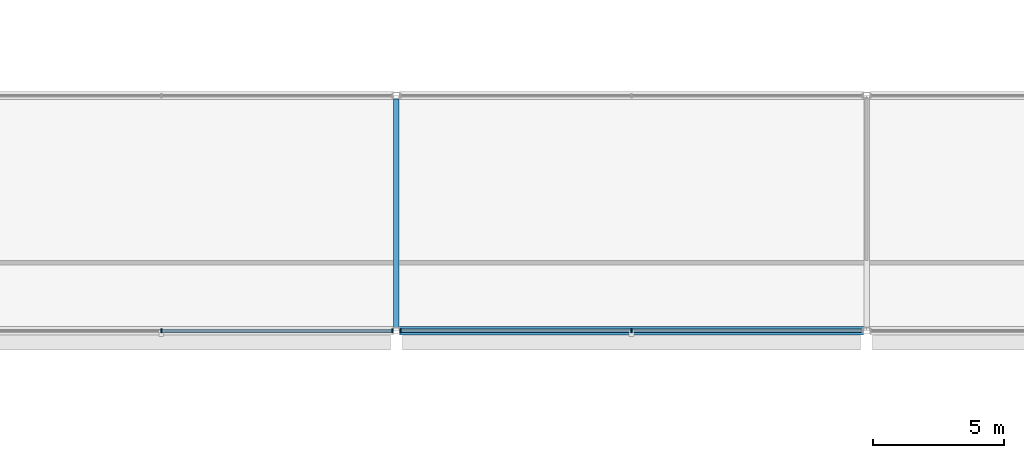
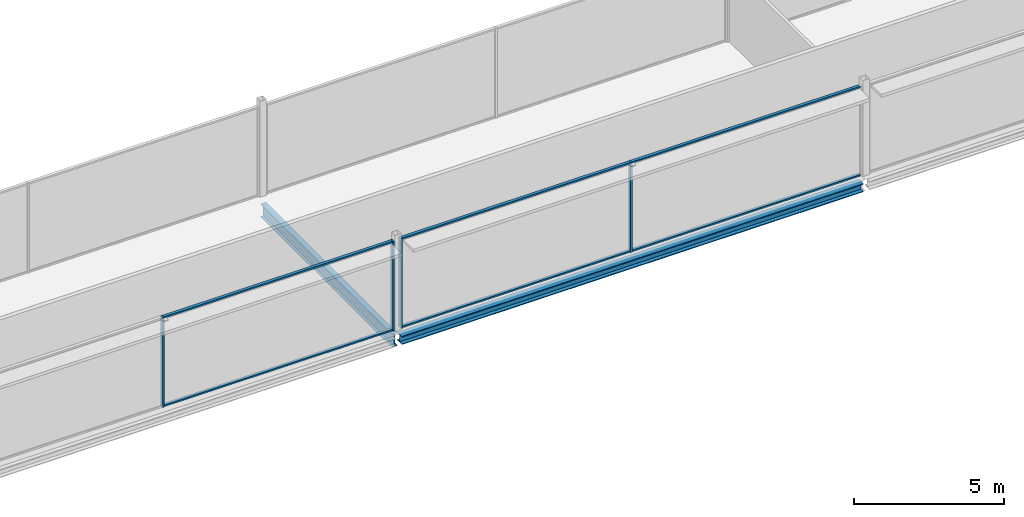
# One storey, part 23 of 96: 10 members, 2 beams, 2 elements without a shape of their own.
"""IFC4 building model written with IfcOpenShell, lengths in metres."""

from ifc_helpers import new_model, si_unit, direction, frame, origin, origin_2d, place, context, subcontext, project, spatial, rectangle, i_section, extrude, material, layer, layer_set, material_profile, profile_set, type_object, element, aggregate, save


model = new_model("IFC4")

# Units and contexts
model_context = context("Model", 3, precision=1e-05, world=origin(), true_north=direction((0.0, 1.0)))
body_context = subcontext(model_context, "Body", "Model", "MODEL_VIEW")
ifc_project = project(units=[si_unit("LENGTHUNIT", "METRE"), si_unit("AREAUNIT", "SQUARE_METRE"), si_unit("VOLUMEUNIT", "CUBIC_METRE"), si_unit("PLANEANGLEUNIT", "RADIAN"), si_unit("MASSUNIT", "GRAM", prefix="KILO")], contexts=[model_context])

# Site, building, storey
site_placement = place(None, origin())
site = spatial("IfcSite", under=ifc_project, at=site_placement, CompositionType="ELEMENT")
building_placement = place(site_placement, origin())
building = spatial("IfcBuilding", under=site, at=building_placement, Name="Kisiwana Market Hall", CompositionType="ELEMENT")
storey_placement = place(building_placement, frame((0.0, 0.0, 25.5)))
storey = spatial("IfcBuildingStorey", under=building, at=storey_placement, Name="L05", CompositionType="ELEMENT", Elevation=25.5)

# Beams
ifc_material_1 = material(Name="Steel S355", Category="steel")
ifc_material_profile_1 = material_profile(ifc_material_1, i_section(OverallWidth=0.209228515625, OverallDepth=0.533203125, WebThickness=0.010009765625, FlangeThickness=0.015625, at=origin_2d()), Name="UB 533x210x92")
ifc_profile_set_1 = profile_set([ifc_material_profile_1], Name="Steel S355")
beam_type_1 = type_object("IfcBeamType", Name="BM-GIRD-UB533", PredefinedType="BEAM", material=ifc_profile_set_1)
beam_1_placement = place(storey_placement, frame((81.0, 18.12109375, -0.531494140625), z_axis=(0.0, 1.0, 0.0), x_axis=(-1.0, 0.0, 0.0)))
element("IfcBeam", 1, at=beam_1_placement, inside=storey, type_object=beam_type_1, Name="Primary girder B-1541", PredefinedType="BEAM", context=body_context, shape_type="SweptSolid", body=[
    extrude(i_section(OverallWidth=0.209228515625, OverallDepth=0.533203125, WebThickness=0.010009765625, FlangeThickness=0.015625, at=origin_2d()), origin(), (0.0, 0.0, 1.0), 8.7578125),
])
ifc_material_2 = material(Name="Steel S355", Category="steel")
ifc_material_profile_2 = material_profile(ifc_material_2, i_section(OverallWidth=0.314453125, OverallDepth=0.33984375, WebThickness=0.01904296875, FlangeThickness=0.031494140625, at=origin_2d()), Name="UC 305x305x198")
ifc_profile_set_2 = profile_set([ifc_material_profile_2], Name="Steel S355")
beam_type_2 = type_object("IfcBeamType", Name="BM-SKYBR-CHORD", PredefinedType="BEAM", material=ifc_profile_set_2)
beam_2_placement = place(storey_placement, frame((81.12109375, 18.0, -0.43505859375), z_axis=(1.0, 0.0, 0.0), x_axis=(0.0, 1.0, 0.0)))
element("IfcBeam", 2, at=beam_2_placement, inside=storey, type_object=beam_type_2, Name="Floor beam B-1609", PredefinedType="BEAM", context=body_context, shape_type="SweptSolid", body=[
    extrude(i_section(OverallWidth=0.314453125, OverallDepth=0.33984375, WebThickness=0.01904296875, FlangeThickness=0.031494140625, at=origin_2d()), origin(), (0.0, 0.0, 1.0), 17.7578125),
])

# Curtain wall, members
ifc_material_3 = material(Name="Double-glazed solar-control low-E IGU", Category="glass")
ifc_layer = layer(ifc_material_3, 0.159912109375)
ifc_layer_set = layer_set([ifc_layer], Name="CW-ZNA-EW-8200")
curtain_wall_type = type_object("IfcCurtainWallType", Name="CW-ZNA-EW-8200", PredefinedType="USERDEFINED", material=ifc_layer_set)
curtain_wall_1_placement = place(storey_placement, origin())
curtain_wall_1 = element("IfcCurtainWall", 3, at=curtain_wall_1_placement, inside=storey, type_object=curtain_wall_type, Name="Unitised curtain wall CW-133 (L05)", ObjectType="UNITISED CURTAIN WALL", PredefinedType="USERDEFINED")
ifc_material_4 = material(Name="Aluminium alloy 6063-T6", Category="aluminium")
ifc_material_profile_3 = material_profile(ifc_material_4, rectangle(XDim=0.06005859375, YDim=0.159912109375, at=origin_2d()), Name="ALU MULLION 60x160")
ifc_profile_set_3 = profile_set([ifc_material_profile_3], Name="Aluminium alloy 6063-T6")
member_type_1 = type_object("IfcMemberType", Name="CW-MULL-60x160", PredefinedType="MULLION", material=ifc_profile_set_3)
member_1_placement = place(storey_placement, frame((72.0, 18.0, 0.0), z_axis=(0.0, 0.0, 1.0), x_axis=(1.0, 0.0, 0.0)))
member_1 = element("IfcMember", 4, at=member_1_placement, type_object=member_type_1, Name="CW-133 mullion 2", PredefinedType="MULLION", context=body_context, shape_type="SweptSolid", body=[
    extrude(rectangle(XDim=0.06005859375, YDim=0.159912109375, at=origin_2d()), origin(), (0.0, 0.0, 1.0), 3.655029296875),
])
member_2_placement = place(storey_placement, frame((80.844970703125, 18.0, 0.0), z_axis=(0.0, 0.0, 1.0), x_axis=(1.0, 0.0, 0.0)))
member_2 = element("IfcMember", 5, at=member_2_placement, type_object=member_type_1, Name="CW-133 mullion 3", PredefinedType="MULLION", context=body_context, shape_type="SweptSolid", body=[
    extrude(rectangle(XDim=0.06005859375, YDim=0.159912109375, at=origin_2d()), origin(), (0.0, 0.0, 1.0), 3.655029296875),
])

curtain_wall_2_placement = place(storey_placement, origin())
curtain_wall_2 = element("IfcCurtainWall", 6, at=curtain_wall_2_placement, inside=storey, type_object=curtain_wall_type, Name="Unitised curtain wall CW-134 (L05)", ObjectType="UNITISED CURTAIN WALL", PredefinedType="USERDEFINED")
member_3_placement = place(storey_placement, frame((81.155029296875, 18.0, 0.0), z_axis=(0.0, 0.0, 1.0), x_axis=(1.0, 0.0, 0.0)))
member_3 = element("IfcMember", 7, at=member_3_placement, type_object=member_type_1, Name="CW-134 mullion 1", PredefinedType="MULLION", context=body_context, shape_type="SweptSolid", body=[
    extrude(rectangle(XDim=0.06005859375, YDim=0.159912109375, at=origin_2d()), origin(), (0.0, 0.0, 1.0), 3.655029296875),
])
member_4_placement = place(storey_placement, frame((90.0, 18.0, 0.0), z_axis=(0.0, 0.0, 1.0), x_axis=(1.0, 0.0, 0.0)))
member_4 = element("IfcMember", 8, at=member_4_placement, type_object=member_type_1, Name="CW-134 mullion 2", PredefinedType="MULLION", context=body_context, shape_type="SweptSolid", body=[
    extrude(rectangle(XDim=0.06005859375, YDim=0.159912109375, at=origin_2d()), origin(), (0.0, 0.0, 1.0), 3.655029296875),
])

# Member
ifc_material_5 = material(Name="Aluminium alloy 6063-T6", Category="aluminium")
ifc_material_profile_4 = material_profile(ifc_material_5, rectangle(XDim=0.1201171875, YDim=0.06005859375, at=origin_2d()), Name="ALU TRANSOM 60x120")
ifc_profile_set_4 = profile_set([ifc_material_profile_4], Name="Aluminium alloy 6063-T6")
member_type_2 = type_object("IfcMemberType", Name="CW-TRAN-60x120", PredefinedType="USERDEFINED", material=ifc_profile_set_4)
member_5_placement = place(storey_placement, frame((72.030029296875, 18.0, 0.030029296875), z_axis=(1.0, 0.0, 0.0), x_axis=(0.0, 1.0, 0.0)))
member_5 = element("IfcMember", 9, at=member_5_placement, type_object=member_type_2, Name="CW-133 transom 2.1", ObjectType="TRANSOM", PredefinedType="USERDEFINED", context=body_context, shape_type="SweptSolid", body=[
    extrude(rectangle(XDim=0.1201171875, YDim=0.06005859375, at=origin_2d()), origin(), (0.0, 0.0, 1.0), 8.784912109375),
])

member_6_placement = place(storey_placement, frame((72.030029296875, 18.0, 3.625), z_axis=(1.0, 0.0, 0.0), x_axis=(0.0, 1.0, 0.0)))
member_6 = element("IfcMember", 10, at=member_6_placement, type_object=member_type_2, Name="CW-133 transom 2.2", ObjectType="TRANSOM", PredefinedType="USERDEFINED", context=body_context, shape_type="SweptSolid", body=[
    extrude(rectangle(XDim=0.1201171875, YDim=0.06005859375, at=origin_2d()), origin(), (0.0, 0.0, 1.0), 8.784912109375),
])

aggregate(curtain_wall_1, [member_1, member_2, member_5, member_6])

member_7_placement = place(storey_placement, frame((81.18505859375, 18.0, 0.030029296875), z_axis=(1.0, 0.0, 0.0), x_axis=(0.0, 1.0, 0.0)))
member_7 = element("IfcMember", 11, at=member_7_placement, type_object=member_type_2, Name="CW-134 transom 1.1", ObjectType="TRANSOM", PredefinedType="USERDEFINED", context=body_context, shape_type="SweptSolid", body=[
    extrude(rectangle(XDim=0.1201171875, YDim=0.06005859375, at=origin_2d()), origin(), (0.0, 0.0, 1.0), 8.784912109375),
])

member_8_placement = place(storey_placement, frame((81.18505859375, 18.0, 3.625), z_axis=(1.0, 0.0, 0.0), x_axis=(0.0, 1.0, 0.0)))
member_8 = element("IfcMember", 12, at=member_8_placement, type_object=member_type_2, Name="CW-134 transom 1.2", ObjectType="TRANSOM", PredefinedType="USERDEFINED", context=body_context, shape_type="SweptSolid", body=[
    extrude(rectangle(XDim=0.1201171875, YDim=0.06005859375, at=origin_2d()), origin(), (0.0, 0.0, 1.0), 8.784912109375),
])

member_9_placement = place(storey_placement, frame((90.030029296875, 18.0, 0.030029296875), z_axis=(1.0, 0.0, 0.0), x_axis=(0.0, 1.0, 0.0)))
member_9 = element("IfcMember", 13, at=member_9_placement, type_object=member_type_2, Name="CW-134 transom 2.1", ObjectType="TRANSOM", PredefinedType="USERDEFINED", context=body_context, shape_type="SweptSolid", body=[
    extrude(rectangle(XDim=0.1201171875, YDim=0.06005859375, at=origin_2d()), origin(), (0.0, 0.0, 1.0), 8.784912109375),
])

member_10_placement = place(storey_placement, frame((90.030029296875, 18.0, 3.625), z_axis=(1.0, 0.0, 0.0), x_axis=(0.0, 1.0, 0.0)))
member_10 = element("IfcMember", 14, at=member_10_placement, type_object=member_type_2, Name="CW-134 transom 2.2", ObjectType="TRANSOM", PredefinedType="USERDEFINED", context=body_context, shape_type="SweptSolid", body=[
    extrude(rectangle(XDim=0.1201171875, YDim=0.06005859375, at=origin_2d()), origin(), (0.0, 0.0, 1.0), 8.784912109375),
])

aggregate(curtain_wall_2, [member_3, member_4, member_7, member_8, member_9, member_10])

save(model, "model.ifc")
